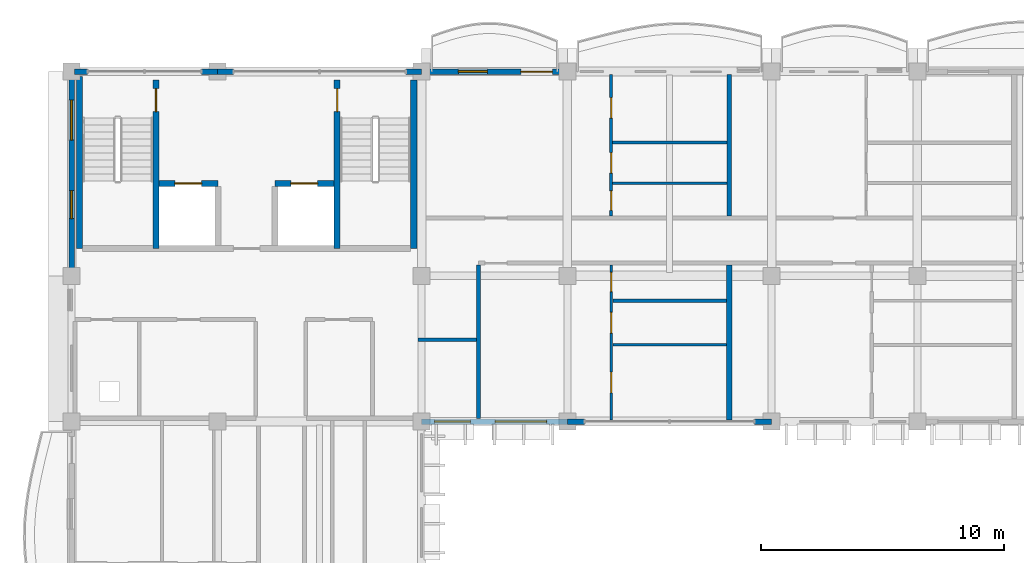
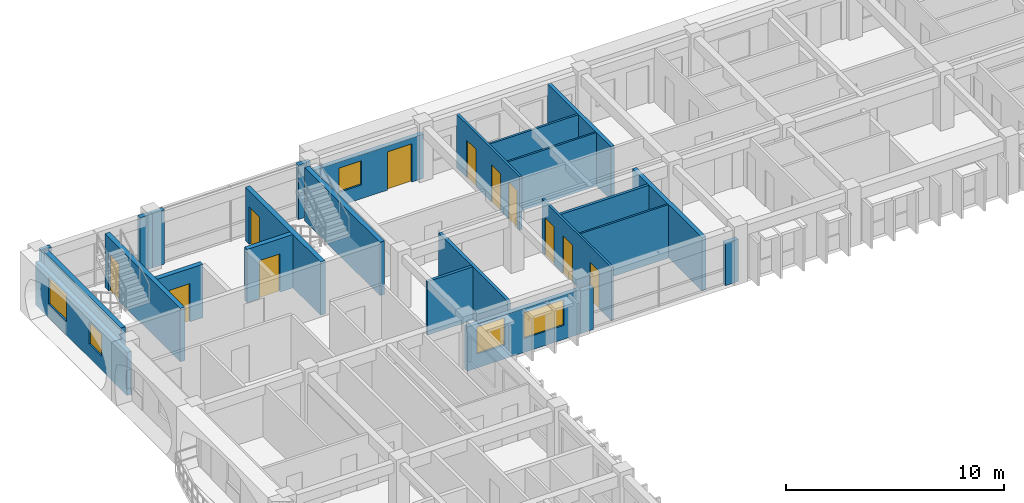
# One storey, part 34 of 79: 25 walls, 11 doors, 5 windows, 16 openings.
"""IFC4 building model written with IfcOpenShell, lengths in metres."""

from ifc_helpers import new_model, si_unit, direction, frame, frame_2d, origin, place, context, subcontext, project, spatial, rectangle, extrude, material, layer, layer_set, type_object, element, fill, save


model = new_model("IFC4")

# Units and contexts
model_context = context("Model", 3, precision=1e-05, world=origin(), true_north=direction((0.0, 1.0)))
body_context = subcontext(model_context, "Body", "Model", "MODEL_VIEW")
ifc_project = project(units=[si_unit("LENGTHUNIT", "METRE"), si_unit("AREAUNIT", "SQUARE_METRE"), si_unit("VOLUMEUNIT", "CUBIC_METRE"), si_unit("PLANEANGLEUNIT", "RADIAN"), si_unit("MASSUNIT", "GRAM", prefix="KILO"), si_unit("THERMODYNAMICTEMPERATUREUNIT", "KELVIN")], contexts=[model_context])

# Site, building, storey
site_placement = place(None, origin())
site = spatial("IfcSite", under=ifc_project, at=site_placement, CompositionType="ELEMENT")
building_placement = place(site_placement, origin())
building = spatial("IfcBuilding", under=site, at=building_placement, Name="Thalorik Housing Commons", CompositionType="ELEMENT")
storey_placement = place(building_placement, frame((0.0, 0.0, 11.39990234375)))
storey = spatial("IfcBuildingStorey", under=building, at=storey_placement, Name="L03", CompositionType="ELEMENT", Elevation=11.39990234375)

# Wall, opening, door
ifc_material_1 = material(Name="Concrete C40/50", Category="concrete")
ifc_layer_1 = layer(ifc_material_1, 0.25, Name="Concrete C40/50", Category="concrete")
ifc_layer_set_1 = layer_set([ifc_layer_1], Name="Concrete C40/50")
wall_type_1 = type_object("IfcWallType", Name="ARC-WAL-CORE-250", PredefinedType="SHEAR", material=ifc_layer_set_1)
wall_1_placement = place(storey_placement, frame((11.875, 123.25, 0.0), z_axis=(0.0, 0.0, 1.0), x_axis=(0.0, -1.0, 0.0)))
wall_1 = element("IfcWall", 1, at=wall_1_placement, inside=storey, type_object=wall_type_1, Name="L03 Core A Stair 1 Shear Wall", PredefinedType="SHEAR", context=body_context, shape_type="SweptSolid", body=[
    extrude(rectangle(XDim=6.925048828125, YDim=0.25, at=frame_2d((3.46240234375, 0.0))), origin(), (0.0, 0.0, 1.0), 3.0),
])
opening_1_placement = place(wall_1_placement, frame((0.35009765625, 0.0, 0.0)))
opening_1 = element("IfcOpeningElement", 2, at=opening_1_placement, cuts=wall_1, Name="Opening ID-0033", PredefinedType="OPENING", context=body_context, shape_type="SweptSolid", body=[
    extrude(rectangle(XDim=0.949951171875, YDim=2.10009765625, at=frame_2d((0.47509765625, 1.050048828125))), frame((0.0, 0.135009765625, 0.0), z_axis=(0.0, -1.0, 0.0), x_axis=(1.0, 0.0, 0.0)), (0.0, 0.0, 1.0), 0.27001953125),
])
ifc_material_2 = material(Name="Steel S355", Category="steel")
door_type_1 = type_object("IfcDoorType", Name="ARC-DR-FD60-950", OperationType="NOTDEFINED", PredefinedType="DOOR", material=ifc_material_2)
door_1_placement = place(opening_1_placement, origin())
door_1 = element("IfcDoor", 3, at=door_1_placement, inside=storey, type_object=door_type_1, Name="L03 Stair ST-A1 Fire Door", OperationType="SINGLE_SWING_RIGHT", OverallHeight=2.10009765625, OverallWidth=0.949951171875, PredefinedType="DOOR", context=body_context, shape_type="SweptSolid", body=[
    extrude(rectangle(XDim=0.949951171875, YDim=2.10009765625, at=frame_2d((0.47509765625, 1.050048828125))), frame((0.0, 0.02490234375, 0.0), z_axis=(0.0, -1.0, 0.0), x_axis=(1.0, 0.0, 0.0)), (0.0, 0.0, 1.0), 0.050048828125),
])
fill(opening_1, door_1)

# Walls
wall_2_placement = place(storey_placement, frame((8.72509765625, 123.39990234375, 0.0), z_axis=(0.0, 0.0, 1.0), x_axis=(0.0, -1.0, 0.0)))
element("IfcWall", 4, at=wall_2_placement, inside=storey, type_object=wall_type_1, Name="L03 Core A Stair 1 Outer Shear Wall", PredefinedType="SHEAR", context=body_context, shape_type="SweptSolid", body=[
    extrude(rectangle(XDim=7.074951171875, YDim=0.25, at=frame_2d((3.53759765625, 0.0))), origin(), (0.0, 0.0, 1.0), 3.0),
])
wall_3_placement = place(storey_placement, frame((22.47509765625, 123.25, 0.0), z_axis=(0.0, 0.0, 1.0), x_axis=(0.0, -1.0, 0.0)))
element("IfcWall", 5, at=wall_3_placement, inside=storey, type_object=wall_type_1, Name="L03 Core A Stair 2 Outer Shear Wall", PredefinedType="SHEAR", context=body_context, shape_type="SweptSolid", body=[
    extrude(rectangle(XDim=6.925048828125, YDim=0.25, at=frame_2d((3.46240234375, 0.0))), origin(), (0.0, 0.0, 1.0), 3.0),
])

# Wall, opening, door
wall_4_placement = place(storey_placement, frame((19.324951171875, 123.25, 0.0), z_axis=(0.0, 0.0, 1.0), x_axis=(0.0, -1.0, 0.0)))
wall_4 = element("IfcWall", 6, at=wall_4_placement, inside=storey, type_object=wall_type_1, Name="L03 Core A Stair 2 Shear Wall", PredefinedType="SHEAR", context=body_context, shape_type="SweptSolid", body=[
    extrude(rectangle(XDim=6.925048828125, YDim=0.25, at=frame_2d((3.46240234375, 0.0))), origin(), (0.0, 0.0, 1.0), 3.0),
])
opening_2_placement = place(wall_4_placement, frame((0.35009765625, 0.0, 0.0)))
opening_2 = element("IfcOpeningElement", 7, at=opening_2_placement, cuts=wall_4, Name="Opening ID-0034", PredefinedType="OPENING", context=body_context, shape_type="SweptSolid", body=[
    extrude(rectangle(XDim=0.949951171875, YDim=2.10009765625, at=frame_2d((0.47509765625, 1.050048828125))), frame((0.0, 0.135009765625, 0.0), z_axis=(0.0, -1.0, 0.0), x_axis=(1.0, 0.0, 0.0)), (0.0, 0.0, 1.0), 0.27001953125),
])
door_2_placement = place(opening_2_placement, origin())
door_2 = element("IfcDoor", 8, at=door_2_placement, inside=storey, type_object=door_type_1, Name="L03 Stair ST-A2 Fire Door", OperationType="SINGLE_SWING_LEFT", OverallHeight=2.10009765625, OverallWidth=0.949951171875, PredefinedType="DOOR", context=body_context, shape_type="SweptSolid", body=[
    extrude(rectangle(XDim=0.949951171875, YDim=2.10009765625, at=frame_2d((0.47509765625, 1.050048828125))), frame((0.0, 0.02490234375, 0.0), z_axis=(0.0, -1.0, 0.0), x_axis=(1.0, 0.0, 0.0)), (0.0, 0.0, 1.0), 0.050048828125),
])
fill(opening_2, door_2)

wall_5_placement = place(storey_placement, frame((12.0, 119.0, 0.0), z_axis=(0.0, 0.0, 1.0), x_axis=(1.0, 0.0, 0.0)))
wall_5 = element("IfcWall", 9, at=wall_5_placement, inside=storey, type_object=wall_type_1, Name="L03 Lift LF-A1 Front Shaft Wall", PredefinedType="SHEAR", context=body_context, shape_type="SweptSolid", body=[
    extrude(rectangle(XDim=2.425048828125, YDim=0.25, at=frame_2d((1.21240234375, 0.0))), origin(), (0.0, 0.0, 1.0), 3.0),
])
opening_3_placement = place(wall_5_placement, frame((0.64990234375, 0.0, 0.0)))
opening_3 = element("IfcOpeningElement", 10, at=opening_3_placement, cuts=wall_5, Name="Opening LD-LF-A1-L03", PredefinedType="OPENING", context=body_context, shape_type="SweptSolid", body=[
    extrude(rectangle(XDim=1.10009765625, YDim=2.14990234375, at=frame_2d((0.550048828125, 1.074951171875))), frame((0.0, 0.135009765625, 0.0), z_axis=(0.0, -1.0, 0.0), x_axis=(1.0, 0.0, 0.0)), (0.0, 0.0, 1.0), 0.27001953125),
])
door_type_2 = type_object("IfcDoorType", Name="ARC-DR-LIFT-1100", OperationType="NOTDEFINED", PredefinedType="DOOR", material=ifc_material_2)
door_3_placement = place(opening_3_placement, origin())
door_3 = element("IfcDoor", 11, at=door_3_placement, inside=storey, type_object=door_type_2, Name="L03 Lift LF-A1 Landing Door", OperationType="SLIDING_TO_LEFT", OverallHeight=2.14990234375, OverallWidth=1.10009765625, PredefinedType="DOOR", context=body_context, shape_type="SweptSolid", body=[
    extrude(rectangle(XDim=1.10009765625, YDim=2.14990234375, at=frame_2d((0.550048828125, 1.074951171875))), frame((0.0, 0.02490234375, 0.0), z_axis=(0.0, -1.0, 0.0), x_axis=(1.0, 0.0, 0.0)), (0.0, 0.0, 1.0), 0.050048828125),
])
fill(opening_3, door_3)

wall_6_placement = place(storey_placement, frame((16.77490234375, 119.0, 0.0), z_axis=(0.0, 0.0, 1.0), x_axis=(1.0, 0.0, 0.0)))
wall_6 = element("IfcWall", 12, at=wall_6_placement, inside=storey, type_object=wall_type_1, Name="L03 Lift LP-A2 Front Shaft Wall", PredefinedType="SHEAR", context=body_context, shape_type="SweptSolid", body=[
    extrude(rectangle(XDim=2.425048828125, YDim=0.25, at=frame_2d((1.21240234375, 0.0))), origin(), (0.0, 0.0, 1.0), 3.0),
])
opening_4_placement = place(wall_6_placement, frame((0.64990234375, 0.0, 0.0)))
opening_4 = element("IfcOpeningElement", 13, at=opening_4_placement, cuts=wall_6, Name="Opening LD-LP-A2-L03", PredefinedType="OPENING", context=body_context, shape_type="SweptSolid", body=[
    extrude(rectangle(XDim=1.10009765625, YDim=2.14990234375, at=frame_2d((0.550048828125, 1.074951171875))), frame((0.0, 0.135009765625, 0.0), z_axis=(0.0, -1.0, 0.0), x_axis=(1.0, 0.0, 0.0)), (0.0, 0.0, 1.0), 0.27001953125),
])
door_4_placement = place(opening_4_placement, origin())
door_4 = element("IfcDoor", 14, at=door_4_placement, inside=storey, type_object=door_type_2, Name="L03 Lift LP-A2 Landing Door", OperationType="SLIDING_TO_LEFT", OverallHeight=2.14990234375, OverallWidth=1.10009765625, PredefinedType="DOOR", context=body_context, shape_type="SweptSolid", body=[
    extrude(rectangle(XDim=1.10009765625, YDim=2.14990234375, at=frame_2d((0.550048828125, 1.074951171875))), frame((0.0, 0.02490234375, 0.0), z_axis=(0.0, -1.0, 0.0), x_axis=(1.0, 0.0, 0.0)), (0.0, 0.0, 1.0), 0.050048828125),
])
fill(opening_4, door_4)

# Walls
ifc_material_3 = material(Name="Masonry fire-rated corridor wall", Category="masonry")
ifc_layer_2 = layer(ifc_material_3, 0.14990234375, Name="Masonry fire-rated corridor wall", Category="masonry")
ifc_layer_set_2 = layer_set([ifc_layer_2], Name="Masonry fire-rated corridor wall")
wall_type_2 = type_object("IfcWallType", Name="ARC-WAL-CORR-150", PredefinedType="PARTITIONING", material=ifc_layer_set_2)
wall_7_placement = place(storey_placement, frame((22.659912109375, 112.570068359375, 0.0), z_axis=(0.0, 0.0, 1.0), x_axis=(1.0, 0.0, 0.0)))
element("IfcWall", 15, at=wall_7_placement, inside=storey, type_object=wall_type_2, Name="L03 Block A Vestibule South Wall", PredefinedType="PARTITIONING", context=body_context, shape_type="SweptSolid", body=[
    extrude(rectangle(XDim=2.405517578125, YDim=0.14990234375, at=frame_2d((1.20263671875, 0.0))), origin(), (0.0, 0.0, 1.0), 3.0),
])
ifc_layer_3 = layer(ifc_material_3, 0.1650390625, Name="Masonry fire-rated corridor wall", Category="masonry")
ifc_layer_set_3 = layer_set([ifc_layer_3], Name="Masonry fire-rated corridor wall")
wall_type_3 = type_object("IfcWallType", Name="ARC-WAL-CORR-165", PredefinedType="PARTITIONING", material=ifc_layer_set_3)
wall_8_placement = place(storey_placement, frame((25.14990234375, 109.319580078125, 0.0), z_axis=(0.0, 0.0, 1.0), x_axis=(0.0, 1.0, 0.0)))
element("IfcWall", 16, at=wall_8_placement, inside=storey, type_object=wall_type_3, Name="L03 Block A Vestibule Cheek Wall", PredefinedType="PARTITIONING", context=body_context, shape_type="SweptSolid", body=[
    extrude(rectangle(XDim=6.31591796875, YDim=0.1650390625, at=frame_2d((3.157958984375, 0.0))), origin(), (0.0, 0.0, 1.0), 3.0),
])

# Wall, openings, windows
ifc_material_4 = material(Name="White precast concrete C40/50", Category="concrete")
ifc_layer_4 = layer(ifc_material_4, 0.235107421875, Name="White precast concrete C40/50", Category="concrete")
ifc_layer_set_4 = layer_set([ifc_layer_4], Name="White precast concrete C40/50")
wall_type_4 = type_object("IfcWallType", Name="ARC-WAL-EXT-235", PredefinedType="STANDARD", material=ifc_layer_set_4)
wall_9_placement = place(storey_placement, frame((22.800048828125, 109.199951171875, 0.0), z_axis=(0.0, 0.0, 1.0), x_axis=(1.0, 0.0, 0.0)))
wall_9 = element("IfcWall", 17, at=wall_9_placement, inside=storey, type_object=wall_type_4, Name="L03 Exterior Wall WAL-EXT-L03-A-0085", PredefinedType="STANDARD", context=body_context, shape_type="SweptSolid", body=[
    extrude(rectangle(XDim=6.0, YDim=0.235107421875, at=frame_2d((3.0, 0.0))), origin(), (0.0, 0.0, 1.0), 2.47509765625),
])
opening_5_placement = place(wall_9_placement, frame((0.530029296875, 0.0, 0.780029296875)))
opening_5 = element("IfcOpeningElement", 18, at=opening_5_placement, cuts=wall_9, Name="Opening W-51", PredefinedType="OPENING", context=body_context, shape_type="SweptSolid", body=[
    extrude(rectangle(XDim=1.47998046875, YDim=1.52001953125, at=frame_2d((0.739990234375, 0.760009765625))), frame((0.0, 0.12744140625, 0.0), z_axis=(0.0, -1.0, 0.0), x_axis=(1.0, 0.0, 0.0)), (0.0, 0.0, 1.0), 0.255126953125),
])
opening_6_placement = place(wall_9_placement, frame((3.02001953125, 0.0, 0.780029296875)))
opening_6 = element("IfcOpeningElement", 19, at=opening_6_placement, cuts=wall_9, Name="Opening W-64", PredefinedType="OPENING", context=body_context, shape_type="SweptSolid", body=[
    extrude(rectangle(XDim=2.1201171875, YDim=1.43994140625, at=frame_2d((1.06005859375, 0.719970703125))), frame((0.0, 0.12744140625, 0.0), z_axis=(0.0, -1.0, 0.0), x_axis=(1.0, 0.0, 0.0)), (0.0, 0.0, 1.0), 0.255126953125),
])
ifc_material_5 = material(Name="Anodised aluminium and solar-control low-E glass", Category="aluminium")
window_type_1 = type_object("IfcWindowType", Name="ARC-WIN-51", PartitioningType="SINGLE_PANEL", PredefinedType="WINDOW", material=ifc_material_5)
window_1_placement = place(opening_5_placement, origin())
window_1 = element("IfcWindow", 20, at=window_1_placement, inside=storey, type_object=window_type_1, Name="L03 Facade Window 153", OverallHeight=1.52001953125, OverallWidth=1.47998046875, PartitioningType="SINGLE_PANEL", PredefinedType="WINDOW", context=body_context, shape_type="SweptSolid", body=[
    extrude(rectangle(XDim=1.47998046875, YDim=1.52001953125, at=frame_2d((0.739990234375, 0.760009765625))), frame((0.0, 0.030029296875, 0.0), z_axis=(0.0, -1.0, 0.0), x_axis=(1.0, 0.0, 0.0)), (0.0, 0.0, 1.0), 0.06005859375),
])
fill(opening_5, window_1)
window_type_2 = type_object("IfcWindowType", Name="ARC-WIN-64", PartitioningType="DOUBLE_PANEL_VERTICAL", PredefinedType="WINDOW", material=ifc_material_5)
window_2_placement = place(opening_6_placement, origin())
window_2 = element("IfcWindow", 21, at=window_2_placement, inside=storey, type_object=window_type_2, Name="L03 Facade Window 154", OverallHeight=1.43994140625, OverallWidth=2.1201171875, PartitioningType="DOUBLE_PANEL_VERTICAL", PredefinedType="WINDOW", context=body_context, shape_type="SweptSolid", body=[
    extrude(rectangle(XDim=2.1201171875, YDim=1.43994140625, at=frame_2d((1.06005859375, 0.719970703125))), frame((0.0, 0.030029296875, 0.0), z_axis=(0.0, -1.0, 0.0), x_axis=(1.0, 0.0, 0.0)), (0.0, 0.0, 1.0), 0.06005859375),
])
fill(opening_6, window_2)

# Walls
for number, where, z_axis, x_axis, name in (
    (22, (28.800048828125, 109.199951171875, 0.0), (0.0, 0.0, 1.0), (1.0, 0.0, 0.0), "L03 Exterior Wall WAL-PIERL-L03-A-0086"),
    (23, (36.5, 109.199951171875, 0.0), (0.0, 0.0, 1.0), (1.0, 0.0, 0.0), "L03 Exterior Wall WAL-PIERR-L03-A-0086"),
):
    element("IfcWall", number, at=place(storey_placement, frame(where, z_axis=z_axis, x_axis=x_axis)), inside=storey, type_object=wall_type_4, Name=name, PredefinedType="STANDARD", context=body_context, shape_type="SweptSolid", body=[
        extrude(rectangle(XDim=0.699951171875, YDim=0.235107421875, at=frame_2d((0.35009765625, 0.0))), origin(), (0.0, 0.0, 1.0), 2.375),
    ])

# Wall, openings, door, window
wall_10_placement = place(storey_placement, frame((28.800048828125, 123.60009765625, 0.0), z_axis=(0.0, 0.0, 1.0), x_axis=(-1.0, 0.0, 0.0)))
wall_10 = element("IfcWall", 24, at=wall_10_placement, inside=storey, type_object=wall_type_4, Name="L03 Exterior Wall WAL-EXT-L03-A-0096", PredefinedType="STANDARD", context=body_context, shape_type="SweptSolid", body=[
    extrude(rectangle(XDim=6.0, YDim=0.235107421875, at=frame_2d((3.0, 0.0))), origin(), (0.0, 0.0, 1.0), 2.47509765625),
])
opening_7_placement = place(wall_10_placement, frame((0.6201171875, 0.0, 0.0)))
opening_7 = element("IfcOpeningElement", 25, at=opening_7_placement, cuts=wall_10, Name="Opening ED-0024", PredefinedType="OPENING", context=body_context, shape_type="SweptSolid", body=[
    extrude(rectangle(XDim=1.300048828125, YDim=2.14990234375, at=frame_2d((0.64990234375, 1.074951171875))), frame((0.0, 0.12744140625, 0.0), z_axis=(0.0, -1.0, 0.0), x_axis=(1.0, 0.0, 0.0)), (0.0, 0.0, 1.0), 0.255126953125),
])
opening_8_placement = place(wall_10_placement, frame((3.2900390625, 0.0, 0.780029296875)))
opening_8 = element("IfcOpeningElement", 26, at=opening_8_placement, cuts=wall_10, Name="Opening W-04", PredefinedType="OPENING", context=body_context, shape_type="SweptSolid", body=[
    extrude(rectangle(XDim=1.199951171875, YDim=1.35009765625, at=frame_2d((0.60009765625, 0.675048828125))), frame((0.0, 0.12744140625, 0.0), z_axis=(0.0, -1.0, 0.0), x_axis=(1.0, 0.0, 0.0)), (0.0, 0.0, 1.0), 0.255126953125),
])
ifc_material_6 = material(Name="Anodised aluminium and laminated safety glass", Category="aluminium")
door_type_3 = type_object("IfcDoorType", Name="ARC-DR-BAL-1300", OperationType="NOTDEFINED", PredefinedType="DOOR", material=ifc_material_6)
door_5_placement = place(opening_7_placement, frame((1.300048828125, 0.0, 0.0), z_axis=(0.0, 0.0, 1.0), x_axis=(-1.0, 0.0, 0.0)))
door_5 = element("IfcDoor", 27, at=door_5_placement, inside=storey, type_object=door_type_3, Name="L03 Block A Balcony Glazed Door", OperationType="SINGLE_SWING_LEFT", OverallHeight=2.14990234375, OverallWidth=1.300048828125, PredefinedType="DOOR", context=body_context, shape_type="SweptSolid", body=[
    extrude(rectangle(XDim=1.300048828125, YDim=2.14990234375, at=frame_2d((0.64990234375, 1.074951171875))), frame((0.0, 0.02490234375, 0.0), z_axis=(0.0, -1.0, 0.0), x_axis=(1.0, 0.0, 0.0)), (0.0, 0.0, 1.0), 0.050048828125),
])
fill(opening_7, door_5)
window_type_3 = type_object("IfcWindowType", Name="ARC-WIN-04", PartitioningType="SINGLE_PANEL", PredefinedType="WINDOW", material=ifc_material_5)
window_3_placement = place(opening_8_placement, origin())
window_3 = element("IfcWindow", 28, at=window_3_placement, inside=storey, type_object=window_type_3, Name="L03 Facade Window 172", OverallHeight=1.35009765625, OverallWidth=1.199951171875, PartitioningType="SINGLE_PANEL", PredefinedType="WINDOW", context=body_context, shape_type="SweptSolid", body=[
    extrude(rectangle(XDim=1.199951171875, YDim=1.35009765625, at=frame_2d((0.60009765625, 0.675048828125))), frame((0.0, 0.030029296875, 0.0), z_axis=(0.0, -1.0, 0.0), x_axis=(1.0, 0.0, 0.0)), (0.0, 0.0, 1.0), 0.06005859375),
])
fill(opening_8, window_3)

# Walls
for number, where, z_axis, x_axis, name in (
    (29, (22.800048828125, 123.60009765625, 0.0), (0.0, 0.0, 1.0), (-1.0, 0.0, 0.0), "L03 Exterior Wall WAL-PIERL-L03-A-0097"),
    (30, (15.050048828125, 123.60009765625, 0.0), (0.0, 0.0, 1.0), (-1.0, 0.0, 0.0), "L03 Exterior Wall WAL-PIERR-L03-A-0097"),
):
    element("IfcWall", number, at=place(storey_placement, frame(where, z_axis=z_axis, x_axis=x_axis)), inside=storey, type_object=wall_type_4, Name=name, PredefinedType="STANDARD", context=body_context, shape_type="SweptSolid", body=[
        extrude(rectangle(XDim=0.650146484375, YDim=0.235107421875, at=frame_2d((0.3251953125, 0.0))), origin(), (0.0, 0.0, 1.0), 3.0400390625),
    ])
wall_11_placement = place(storey_placement, frame((14.39990234375, 123.60009765625, 0.0), z_axis=(0.0, 0.0, 1.0), x_axis=(-1.0, 0.0, 0.0)))
element("IfcWall", 31, at=wall_11_placement, inside=storey, type_object=wall_type_4, Name="L03 Exterior Wall WAL-PIERL-L03-A-0098", PredefinedType="STANDARD", context=body_context, shape_type="SweptSolid", body=[
    extrude(rectangle(XDim=0.64990234375, YDim=0.235107421875, at=frame_2d((0.324951171875, 0.0))), origin(), (0.0, 0.0, 1.0), 3.0400390625),
])
wall_12_placement = place(storey_placement, frame((9.050048828125, 123.60009765625, 0.0), z_axis=(0.0, 0.0, 1.0), x_axis=(-1.0, 0.0, 0.0)))
element("IfcWall", 32, at=wall_12_placement, inside=storey, type_object=wall_type_4, Name="L03 Exterior Wall WAL-PIERR-L03-A-0098", PredefinedType="STANDARD", context=body_context, shape_type="SweptSolid", body=[
    extrude(rectangle(XDim=0.530517578125, YDim=0.235107421875, at=frame_2d((0.26513671875, 0.0))), origin(), (0.0, 0.0, 1.0), 3.0400390625),
])

# Wall, openings, windows
wall_13_placement = place(storey_placement, frame((8.39990234375, 123.60009765625, 0.0), z_axis=(0.0, 0.0, 1.0), x_axis=(0.0, -1.0, 0.0)))
wall_13 = element("IfcWall", 33, at=wall_13_placement, inside=storey, type_object=wall_type_4, Name="L03 Exterior Wall WAL-EXT-L03-A-0099", PredefinedType="STANDARD", context=body_context, shape_type="SweptSolid", body=[
    extrude(rectangle(XDim=8.400146484375, YDim=0.235107421875, at=frame_2d((4.2001953125, 0.0))), origin(), (0.0, 0.0, 1.0), 2.425048828125),
])
opening_9_placement = place(wall_13_placement, frame((1.17138671875, 0.0, 0.780029296875)))
opening_9 = element("IfcOpeningElement", 34, at=opening_9_placement, cuts=wall_13, Name="Opening W-15", PredefinedType="OPENING", context=body_context, shape_type="SweptSolid", body=[
    extrude(rectangle(XDim=1.64990234375, YDim=1.5, at=frame_2d((0.824951171875, 0.75))), frame((0.0, 0.12744140625, 0.0), z_axis=(0.0, -1.0, 0.0), x_axis=(1.0, 0.0, 0.0)), (0.0, 0.0, 1.0), 0.255126953125),
])
opening_10_placement = place(wall_13_placement, frame((4.893798828125, 0.0, 0.780029296875)))
opening_10 = element("IfcOpeningElement", 35, at=opening_10_placement, cuts=wall_13, Name="Opening W-45", PredefinedType="OPENING", context=body_context, shape_type="SweptSolid", body=[
    extrude(rectangle(XDim=1.14990234375, YDim=1.25, at=frame_2d((0.574951171875, 0.625))), frame((0.0, 0.12744140625, 0.0), z_axis=(0.0, -1.0, 0.0), x_axis=(1.0, 0.0, 0.0)), (0.0, 0.0, 1.0), 0.255126953125),
])
window_type_4 = type_object("IfcWindowType", Name="ARC-WIN-15", PartitioningType="DOUBLE_PANEL_VERTICAL", PredefinedType="WINDOW", material=ifc_material_5)
window_4_placement = place(opening_9_placement, origin())
window_4 = element("IfcWindow", 36, at=window_4_placement, inside=storey, type_object=window_type_4, Name="L03 Facade Window 173", OverallHeight=1.5, OverallWidth=1.64990234375, PartitioningType="DOUBLE_PANEL_VERTICAL", PredefinedType="WINDOW", context=body_context, shape_type="SweptSolid", body=[
    extrude(rectangle(XDim=1.64990234375, YDim=1.5, at=frame_2d((0.824951171875, 0.75))), frame((0.0, 0.030029296875, 0.0), z_axis=(0.0, -1.0, 0.0), x_axis=(1.0, 0.0, 0.0)), (0.0, 0.0, 1.0), 0.06005859375),
])
fill(opening_9, window_4)
window_type_5 = type_object("IfcWindowType", Name="ARC-WIN-45", PartitioningType="SINGLE_PANEL", PredefinedType="WINDOW", material=ifc_material_5)
window_5_placement = place(opening_10_placement, origin())
window_5 = element("IfcWindow", 37, at=window_5_placement, inside=storey, type_object=window_type_5, Name="L03 Facade Window 174", OverallHeight=1.25, OverallWidth=1.14990234375, PartitioningType="SINGLE_PANEL", PredefinedType="WINDOW", context=body_context, shape_type="SweptSolid", body=[
    extrude(rectangle(XDim=1.14990234375, YDim=1.25, at=frame_2d((0.574951171875, 0.625))), frame((0.0, 0.030029296875, 0.0), z_axis=(0.0, -1.0, 0.0), x_axis=(1.0, 0.0, 0.0)), (0.0, 0.0, 1.0), 0.06005859375),
])
fill(opening_10, window_5)

# Walls
ifc_material_7 = material(Name="Gypsum light stud partition", Category="masonry")
ifc_layer_5 = layer(ifc_material_7, 0.10009765625, Name="Gypsum light stud partition", Category="masonry")
ifc_layer_set_5 = layer_set([ifc_layer_5], Name="Gypsum light stud partition")
wall_type_5 = type_object("IfcWallType", Name="ARC-WAL-PART-100", PredefinedType="PARTITIONING", material=ifc_layer_set_5)
wall_14_placement = place(storey_placement, frame((30.66455078125, 112.36083984375, 0.0), z_axis=(0.0, 0.0, 1.0), x_axis=(1.0, 0.0, 0.0)))
element("IfcWall", 38, at=wall_14_placement, inside=storey, type_object=wall_type_5, Name="L03 Unit 1 Bedroom Partition", PredefinedType="PARTITIONING", context=body_context, shape_type="SweptSolid", body=[
    extrude(rectangle(XDim=4.683349609375, YDim=0.10009765625, at=frame_2d((2.341796875, 0.0))), origin(), (0.0, 0.0, 1.0), 3.0),
])
wall_15_placement = place(storey_placement, frame((30.663330078125, 119.010498046875, 0.0), z_axis=(0.0, 0.0, 1.0), x_axis=(1.0, 0.0, 0.0)))
element("IfcWall", 39, at=wall_15_placement, inside=storey, type_object=wall_type_5, Name="L03 Unit 1B Wet Wall", PredefinedType="PARTITIONING", context=body_context, shape_type="SweptSolid", body=[
    extrude(rectangle(XDim=4.7021484375, YDim=0.10009765625, at=frame_2d((2.35107421875, 0.0))), origin(), (0.0, 0.0, 1.0), 3.0),
])

# Wall, openings, doors
ifc_material_8 = material(Name="Gypsum moisture-resistant partition", Category="masonry")
ifc_layer_6 = layer(ifc_material_8, 0.114990234375, Name="Gypsum moisture-resistant partition", Category="masonry")
ifc_layer_set_6 = layer_set([ifc_layer_6], Name="Gypsum moisture-resistant partition")
wall_type_6 = type_object("IfcWallType", Name="ARC-WAL-PART-115", PredefinedType="PARTITIONING", material=ifc_layer_set_6)
wall_16_placement = place(storey_placement, frame((30.60498046875, 109.260009765625, 0.0), z_axis=(0.0, 0.0, 1.0), x_axis=(0.0, 1.0, 0.0)))
wall_16 = element("IfcWall", 40, at=wall_16_placement, inside=storey, type_object=wall_type_6, Name="L03 Unit 1 Spine Partition", PredefinedType="PARTITIONING", context=body_context, shape_type="SweptSolid", body=[
    extrude(rectangle(XDim=6.37548828125, YDim=0.114990234375, at=frame_2d((3.187744140625, 0.0))), origin(), (0.0, 0.0, 1.0), 3.0),
])
opening_11_placement = place(wall_16_placement, frame((1.12548828125, 0.0, 0.0)))
opening_11 = element("IfcOpeningElement", 41, at=opening_11_placement, cuts=wall_16, Name="Opening ID-0501", PredefinedType="OPENING", context=body_context, shape_type="SweptSolid", body=[
    extrude(rectangle(XDim=0.85009765625, YDim=2.10009765625, at=frame_2d((0.425048828125, 1.050048828125))), frame((0.0, 0.0673828125, 0.0), z_axis=(0.0, -1.0, 0.0), x_axis=(1.0, 0.0, 0.0)), (0.0, 0.0, 1.0), 0.135009765625),
])
opening_12_placement = place(wall_16_placement, frame((3.580078125, 0.0, 0.0)))
opening_12 = element("IfcOpeningElement", 42, at=opening_12_placement, cuts=wall_16, Name="Opening ID-0502", PredefinedType="OPENING", context=body_context, shape_type="SweptSolid", body=[
    extrude(rectangle(XDim=0.85009765625, YDim=2.10009765625, at=frame_2d((0.425048828125, 1.050048828125))), frame((0.0, 0.0673828125, 0.0), z_axis=(0.0, -1.0, 0.0), x_axis=(1.0, 0.0, 0.0)), (0.0, 0.0, 1.0), 0.135009765625),
])
opening_13_placement = place(wall_16_placement, frame((5.284912109375, 0.0, 0.0)))
opening_13 = element("IfcOpeningElement", 43, at=opening_13_placement, cuts=wall_16, Name="Opening ID-0503", PredefinedType="OPENING", context=body_context, shape_type="SweptSolid", body=[
    extrude(rectangle(XDim=0.800048828125, YDim=2.10009765625, at=frame_2d((0.39990234375, 1.050048828125))), frame((0.0, 0.0673828125, 0.0), z_axis=(0.0, -1.0, 0.0), x_axis=(1.0, 0.0, 0.0)), (0.0, 0.0, 1.0), 0.135009765625),
])
ifc_material_9 = material(Name="Moisture-resistant timber", Category="wood")
door_type_4 = type_object("IfcDoorType", Name="ARC-DR-INT-800", OperationType="NOTDEFINED", PredefinedType="DOOR", material=ifc_material_9)
door_6_placement = place(opening_13_placement, origin())
door_6 = element("IfcDoor", 44, at=door_6_placement, inside=storey, type_object=door_type_4, Name="L03 Flat Bathroom Door", OperationType="SINGLE_SWING_RIGHT", OverallHeight=2.10009765625, OverallWidth=0.800048828125, PredefinedType="DOOR", context=body_context, shape_type="SweptSolid", body=[
    extrude(rectangle(XDim=0.800048828125, YDim=2.10009765625, at=frame_2d((0.39990234375, 1.050048828125))), frame((0.0, 0.02490234375, 0.0), z_axis=(0.0, -1.0, 0.0), x_axis=(1.0, 0.0, 0.0)), (0.0, 0.0, 1.0), 0.050048828125),
])
fill(opening_13, door_6)
ifc_material_10 = material(Name="Engineered oak timber", Category="wood")
door_type_5 = type_object("IfcDoorType", Name="ARC-DR-INT-850", OperationType="NOTDEFINED", PredefinedType="DOOR", material=ifc_material_10)
door_7_placement = place(opening_11_placement, origin())
door_7 = element("IfcDoor", 45, at=door_7_placement, inside=storey, type_object=door_type_5, Name="L03 Double Bedroom Door", OperationType="SINGLE_SWING_RIGHT", OverallHeight=2.10009765625, OverallWidth=0.85009765625, PredefinedType="DOOR", context=body_context, shape_type="SweptSolid", body=[
    extrude(rectangle(XDim=0.85009765625, YDim=2.10009765625, at=frame_2d((0.425048828125, 1.050048828125))), frame((0.0, 0.02490234375, 0.0), z_axis=(0.0, -1.0, 0.0), x_axis=(1.0, 0.0, 0.0)), (0.0, 0.0, 1.0), 0.050048828125),
])
fill(opening_11, door_7)
door_8_placement = place(opening_12_placement, origin())
door_8 = element("IfcDoor", 46, at=door_8_placement, inside=storey, type_object=door_type_5, Name="L03 Galley Kitchen Door", OperationType="SINGLE_SWING_LEFT", OverallHeight=2.10009765625, OverallWidth=0.85009765625, PredefinedType="DOOR", context=body_context, shape_type="SweptSolid", body=[
    extrude(rectangle(XDim=0.85009765625, YDim=2.10009765625, at=frame_2d((0.425048828125, 1.050048828125))), frame((0.0, 0.02490234375, 0.0), z_axis=(0.0, -1.0, 0.0), x_axis=(1.0, 0.0, 0.0)), (0.0, 0.0, 1.0), 0.050048828125),
])
fill(opening_12, door_8)

# Wall
wall_17_placement = place(storey_placement, frame((30.663330078125, 120.67919921875, 0.0), z_axis=(0.0, 0.0, 1.0), x_axis=(1.0, 0.0, 0.0)))
element("IfcWall", 47, at=wall_17_placement, inside=storey, type_object=wall_type_6, Name="L03 Unit 1B Bedroom Partition", PredefinedType="PARTITIONING", context=body_context, shape_type="SweptSolid", body=[
    extrude(rectangle(XDim=4.7021484375, YDim=0.114990234375, at=frame_2d((2.35107421875, 0.0))), origin(), (0.0, 0.0, 1.0), 3.0),
])

# Wall, openings, doors
ifc_material_11 = material(Name="Gypsum acoustic stud partition", Category="masonry")
ifc_layer_7 = layer(ifc_material_11, 0.125, Name="Gypsum acoustic stud partition", Category="masonry")
ifc_layer_set_7 = layer_set([ifc_layer_7], Name="Gypsum acoustic stud partition")
wall_type_7 = type_object("IfcWallType", Name="ARC-WAL-PART-125", PredefinedType="PARTITIONING", material=ifc_layer_set_7)
wall_18_placement = place(storey_placement, frame((30.598876953125, 117.656982421875, 0.0), z_axis=(0.0, 0.0, 1.0), x_axis=(0.0, 1.0, 0.0)))
wall_18 = element("IfcWall", 48, at=wall_18_placement, inside=storey, type_object=wall_type_7, Name="L03 Unit 1B Spine Partition", PredefinedType="PARTITIONING", context=body_context, shape_type="SweptSolid", body=[
    extrude(rectangle(XDim=5.823486328125, YDim=0.125, at=frame_2d((2.91162109375, 0.0))), origin(), (0.0, 0.0, 1.0), 3.0),
])
opening_14_placement = place(wall_18_placement, frame((0.23828125, 0.0, 0.0)))
opening_14 = element("IfcOpeningElement", 49, at=opening_14_placement, cuts=wall_18, Name="Opening ID-0504", PredefinedType="OPENING", context=body_context, shape_type="SweptSolid", body=[
    extrude(rectangle(XDim=0.800048828125, YDim=2.10009765625, at=frame_2d((0.39990234375, 1.050048828125))), frame((0.0, 0.072509765625, 0.0), z_axis=(0.0, -1.0, 0.0), x_axis=(1.0, 0.0, 0.0)), (0.0, 0.0, 1.0), 0.14501953125),
])
opening_15_placement = place(wall_18_placement, frame((1.7626953125, 0.0, 0.0)))
opening_15 = element("IfcOpeningElement", 50, at=opening_15_placement, cuts=wall_18, Name="Opening ID-0505", PredefinedType="OPENING", context=body_context, shape_type="SweptSolid", body=[
    extrude(rectangle(XDim=0.85009765625, YDim=2.10009765625, at=frame_2d((0.425048828125, 1.050048828125))), frame((0.0, 0.072509765625, 0.0), z_axis=(0.0, -1.0, 0.0), x_axis=(1.0, 0.0, 0.0)), (0.0, 0.0, 1.0), 0.14501953125),
])
opening_16_placement = place(wall_18_placement, frame((4.027587890625, 0.0, 0.0)))
opening_16 = element("IfcOpeningElement", 51, at=opening_16_placement, cuts=wall_18, Name="Opening ID-0506", PredefinedType="OPENING", context=body_context, shape_type="SweptSolid", body=[
    extrude(rectangle(XDim=0.85009765625, YDim=2.10009765625, at=frame_2d((0.425048828125, 1.050048828125))), frame((0.0, 0.072509765625, 0.0), z_axis=(0.0, -1.0, 0.0), x_axis=(1.0, 0.0, 0.0)), (0.0, 0.0, 1.0), 0.14501953125),
])
door_9_placement = place(opening_14_placement, origin())
door_9 = element("IfcDoor", 52, at=door_9_placement, inside=storey, type_object=door_type_4, Name="L03 Accessible Bathroom Door", OperationType="SINGLE_SWING_LEFT", OverallHeight=2.10009765625, OverallWidth=0.800048828125, PredefinedType="DOOR", context=body_context, shape_type="SweptSolid", body=[
    extrude(rectangle(XDim=0.800048828125, YDim=2.10009765625, at=frame_2d((0.39990234375, 1.050048828125))), frame((0.0, 0.02490234375, 0.0), z_axis=(0.0, -1.0, 0.0), x_axis=(1.0, 0.0, 0.0)), (0.0, 0.0, 1.0), 0.050048828125),
])
fill(opening_14, door_9)
door_10_placement = place(opening_15_placement, origin())
door_10 = element("IfcDoor", 53, at=door_10_placement, inside=storey, type_object=door_type_5, Name="L03 Galley Kitchen Door", OperationType="SINGLE_SWING_RIGHT", OverallHeight=2.10009765625, OverallWidth=0.85009765625, PredefinedType="DOOR", context=body_context, shape_type="SweptSolid", body=[
    extrude(rectangle(XDim=0.85009765625, YDim=2.10009765625, at=frame_2d((0.425048828125, 1.050048828125))), frame((0.0, 0.02490234375, 0.0), z_axis=(0.0, -1.0, 0.0), x_axis=(1.0, 0.0, 0.0)), (0.0, 0.0, 1.0), 0.050048828125),
])
fill(opening_15, door_10)
door_11_placement = place(opening_16_placement, origin())
door_11 = element("IfcDoor", 54, at=door_11_placement, inside=storey, type_object=door_type_5, Name="L03 Double Bedroom Door", OperationType="SINGLE_SWING_LEFT", OverallHeight=2.10009765625, OverallWidth=0.85009765625, PredefinedType="DOOR", context=body_context, shape_type="SweptSolid", body=[
    extrude(rectangle(XDim=0.85009765625, YDim=2.10009765625, at=frame_2d((0.425048828125, 1.050048828125))), frame((0.0, 0.02490234375, 0.0), z_axis=(0.0, -1.0, 0.0), x_axis=(1.0, 0.0, 0.0)), (0.0, 0.0, 1.0), 0.050048828125),
])
fill(opening_16, door_11)

# Walls
ifc_material_12 = material(Name="Ceramic masonry partition wall", Category="masonry")
ifc_layer_8 = layer(ifc_material_12, 0.139892578125, Name="Ceramic masonry partition wall", Category="masonry")
ifc_layer_set_8 = layer_set([ifc_layer_8], Name="Ceramic masonry partition wall")
wall_type_8 = type_object("IfcWallType", Name="ARC-WAL-PART-140", PredefinedType="PARTITIONING", material=ifc_layer_set_8)
wall_19_placement = place(storey_placement, frame((30.66455078125, 114.169677734375, 0.0), z_axis=(0.0, 0.0, 1.0), x_axis=(1.0, 0.0, 0.0)))
element("IfcWall", 55, at=wall_19_placement, inside=storey, type_object=wall_type_8, Name="L03 Unit 1 Wet Wall", PredefinedType="PARTITIONING", context=body_context, shape_type="SweptSolid", body=[
    extrude(rectangle(XDim=4.683349609375, YDim=0.139892578125, at=frame_2d((2.341796875, 0.0))), origin(), (0.0, 0.0, 1.0), 3.0),
])
ifc_material_13 = material(Name="Masonry acoustic blockwork wall", Category="masonry")
ifc_layer_9 = layer(ifc_material_13, 0.18505859375, Name="Masonry acoustic blockwork wall", Category="masonry")
ifc_layer_set_9 = layer_set([ifc_layer_9], Name="Masonry acoustic blockwork wall")
wall_type_9 = type_object("IfcWallType", Name="ARC-WAL-PARTY-185", PredefinedType="PARTITIONING", material=ifc_layer_set_9)
wall_20_placement = place(storey_placement, frame((35.4599609375, 117.656982421875, 0.0), z_axis=(0.0, 0.0, 1.0), x_axis=(0.0, 1.0, 0.0)))
element("IfcWall", 56, at=wall_20_placement, inside=storey, type_object=wall_type_9, Name="L03 Inter-Tenancy Wall 1B", PredefinedType="PARTITIONING", context=body_context, shape_type="SweptSolid", body=[
    extrude(rectangle(XDim=5.823486328125, YDim=0.18505859375, at=frame_2d((2.91162109375, 0.0))), origin(), (0.0, 0.0, 1.0), 3.0),
])
ifc_material_14 = material(Name="Precast concrete C40/50 acoustic wall", Category="concrete")
ifc_layer_10 = layer(ifc_material_14, 0.219970703125, Name="Precast concrete C40/50 acoustic wall", Category="concrete")
ifc_layer_set_10 = layer_set([ifc_layer_10], Name="Precast concrete C40/50 acoustic wall")
wall_type_10 = type_object("IfcWallType", Name="ARC-WAL-PARTY-220", PredefinedType="PARTITIONING", material=ifc_layer_set_10)
wall_21_placement = place(storey_placement, frame((35.4599609375, 109.260009765625, 0.0), z_axis=(0.0, 0.0, 1.0), x_axis=(0.0, 1.0, 0.0)))
element("IfcWall", 57, at=wall_21_placement, inside=storey, type_object=wall_type_10, Name="L03 Inter-Tenancy Wall 1A", PredefinedType="PARTITIONING", context=body_context, shape_type="SweptSolid", body=[
    extrude(rectangle(XDim=6.37548828125, YDim=0.219970703125, at=frame_2d((3.187744140625, 0.0))), origin(), (0.0, 0.0, 1.0), 3.0),
])

save(model, "model.ifc")
